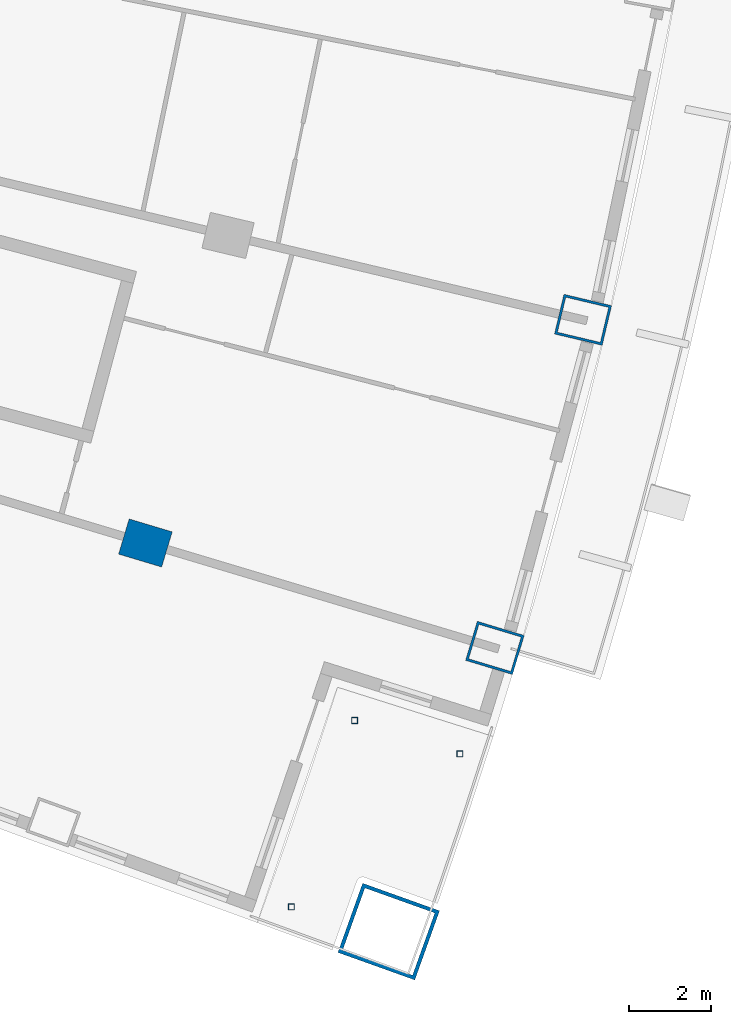
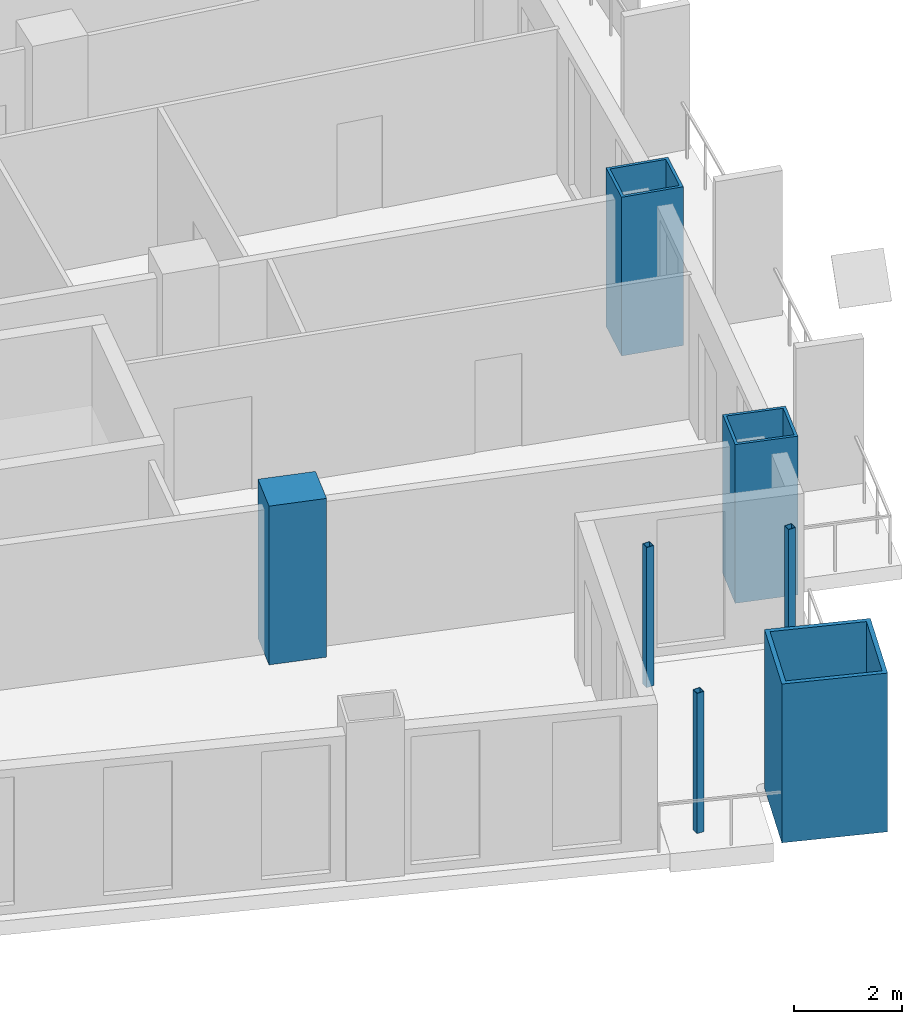
# One storey, part 5 of 25: 7 columns.
"""IFC4 building model written with IfcOpenShell, lengths in metres."""

from ifc_helpers import new_model, si_unit, direction, frame, origin, origin_2d, place, context, subcontext, project, spatial, rectangle, hollow_rectangle, extrude, material, material_profile, profile_set, type_object, element, save


model = new_model("IFC4")

# Units and contexts
model_context = context("Model", 3, precision=1e-05, world=origin(), true_north=direction((0.0, 1.0)))
body_context = subcontext(model_context, "Body", "Model", "MODEL_VIEW")
ifc_project = project(units=[si_unit("LENGTHUNIT", "METRE"), si_unit("AREAUNIT", "SQUARE_METRE"), si_unit("VOLUMEUNIT", "CUBIC_METRE"), si_unit("PLANEANGLEUNIT", "RADIAN"), si_unit("MASSUNIT", "GRAM", prefix="KILO")], contexts=[model_context])

# Site, building, storey
site_placement = place(None, origin())
site = spatial("IfcSite", under=ifc_project, at=site_placement, CompositionType="ELEMENT")
building_placement = place(site_placement, origin())
building = spatial("IfcBuilding", under=site, at=building_placement, Name="Alderwake Tower", CompositionType="ELEMENT")
storey_placement = place(building_placement, frame((0.0, 0.0, 60.800048828125)))
storey = spatial("IfcBuildingStorey", under=building, at=storey_placement, Name="L14", CompositionType="ELEMENT", Elevation=60.800048828125)

# Columns
ifc_material_1 = material(Name="Concrete C70/85", Category="concrete")
ifc_material_profile_1 = material_profile(ifc_material_1, rectangle(XDim=0.89990234375, YDim=1.10009765625, at=origin_2d()), Name="RC 1100X900")
ifc_profile_set_1 = profile_set([ifc_material_profile_1], Name="Concrete C70/85")
column_type_1 = type_object("IfcColumnType", Name="Interior column Z1", PredefinedType="COLUMN", material=ifc_profile_set_1)
column_1_placement = place(storey_placement, frame((48.021484375, 22.564208984375, 0.0), z_axis=(0.0, 0.0, 1.0), x_axis=(0.287549418125, 0.957765802342, 0.0)))
element("IfcColumn", 1, at=column_1_placement, inside=storey, type_object=column_type_1, Name="Column R02-C4", PredefinedType="COLUMN", context=body_context, shape_type="SweptSolid", body=[
    extrude(rectangle(XDim=0.89990234375, YDim=1.10009765625, at=origin_2d()), origin(), (0.0, 0.0, 1.0), 3.599853515625),
])
ifc_material_2 = material(Name="Steel ASTM A500 Grade C", Category="steel")
ifc_material_profile_2 = material_profile(ifc_material_2, hollow_rectangle(XDim=0.15234375, YDim=0.15234375, WallThickness=0.0087890625, at=origin_2d()), Name="HSS6X6X3/8")
ifc_profile_set_2 = profile_set([ifc_material_profile_2], Name="Steel ASTM A500 Grade C")
column_type_2 = type_object("IfcColumnType", Name="Light post HSS6X6X3/8", PredefinedType="COLUMN", material=ifc_profile_set_2)
for number, where, z_axis, x_axis, name in (
    (2, (55.719970703125, 17.404052734375, 0.0), (0.0, 0.0, 1.0), (1.0, 0.0, 0.0), "Terrace post FS1"),
    (3, (51.5927734375, 13.65673828125, 0.0), (0.0, 0.0, 1.0), (1.0, 0.0, 0.0), "Terrace post FS2"),
    (4, (53.1455078125, 18.218017578125, 0.0), (0.0, 0.0, 1.0), (1.0, 0.0, 0.0), "Terrace post FS3"),
):
    element("IfcColumn", number, at=place(storey_placement, frame(where, z_axis=z_axis, x_axis=x_axis)), inside=storey, type_object=column_type_2, Name=name, PredefinedType="COLUMN", context=body_context, shape_type="SweptSolid", body=[
        extrude(hollow_rectangle(XDim=0.15234375, YDim=0.15234375, WallThickness=0.0087890625, at=origin_2d()), origin(), (0.0, 0.0, 1.0), 3.179931640625),
    ])
ifc_material_3 = material(Name="Steel ASTM A572 Grade 50 concrete filled C70/85", Category="concrete")
ifc_material_profile_3 = material_profile(ifc_material_3, hollow_rectangle(XDim=1.800048828125, YDim=2.0, WallThickness=0.090087890625, at=origin_2d()), Name="BOX 2000X1800X90")
ifc_profile_set_3 = profile_set([ifc_material_profile_3], Name="Steel ASTM A572 Grade 50 concrete filled C70/85")
column_type_3 = type_object("IfcColumnType", Name="Mega column Z1", PredefinedType="COLUMN", material=ifc_profile_set_3)
column_2_placement = place(storey_placement, frame((53.97802734375, 13.05029296875, 0.0), z_axis=(0.0, 0.0, 1.0), x_axis=(0.336962157792, 0.941518191123, 0.0)))
element("IfcColumn", 5, at=column_2_placement, inside=storey, type_object=column_type_3, Name="Column R01-C5", PredefinedType="COLUMN", context=body_context, shape_type="SweptSolid", body=[
    extrude(hollow_rectangle(XDim=1.800048828125, YDim=2.0, WallThickness=0.090087890625, at=origin_2d()), origin(), (0.0, 0.0, 1.0), 3.599853515625),
])
ifc_material_4 = material(Name="Steel ASTM A572 Grade 50 concrete filled C70/85", Category="concrete")
ifc_material_profile_4 = material_profile(ifc_material_4, hollow_rectangle(XDim=1.0, YDim=1.199951171875, WallThickness=0.06005859375, at=origin_2d()), Name="BOX 1200X1000X60")
ifc_profile_set_4 = profile_set([ifc_material_profile_4], Name="Steel ASTM A572 Grade 50 concrete filled C70/85")
column_type_4 = type_object("IfcColumnType", Name="Perimeter column Z1", PredefinedType="COLUMN", material=ifc_profile_set_4)
for number, where, z_axis, x_axis, name in (
    (6, (56.577392578125, 19.99560546875, 0.0), (0.0, 0.0, 1.0), (0.287549418125, 0.957765802342, 0.0), "Column R02-C5"),
    (7, (58.735595703125, 28.02783203125, 0.0), (0.0, 0.0, 1.0), (0.231221547198, 0.972901123502, 0.0), "Column R03-C5"),
):
    element("IfcColumn", number, at=place(storey_placement, frame(where, z_axis=z_axis, x_axis=x_axis)), inside=storey, type_object=column_type_4, Name=name, PredefinedType="COLUMN", context=body_context, shape_type="SweptSolid", body=[
        extrude(hollow_rectangle(XDim=1.0, YDim=1.199951171875, WallThickness=0.06005859375, at=origin_2d()), origin(), (0.0, 0.0, 1.0), 3.599853515625),
    ])

save(model, "model.ifc")
